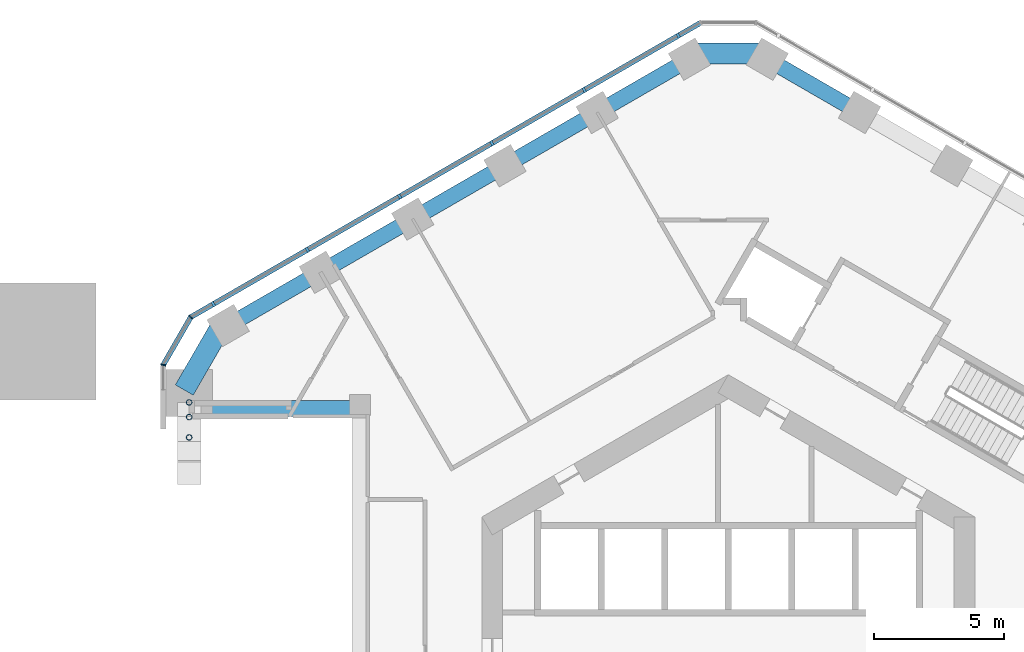
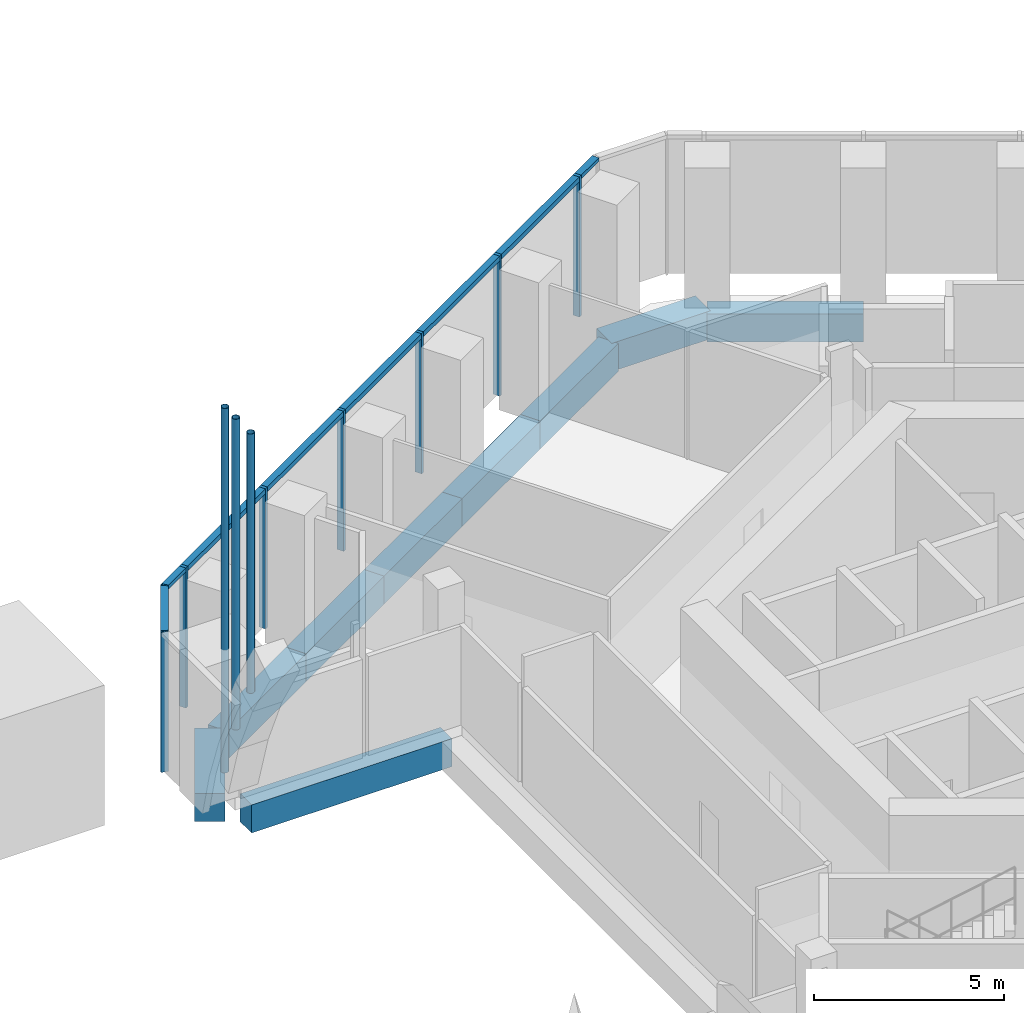
# One storey, part 6 of 14: 15 members, 9 beams, 3 elements without a shape of their own.
"""IFC4 building model written with IfcOpenShell, lengths in metres."""

import ifcopenshell
import ifcopenshell.guid

model = None  # the IFC model being written
_history = None  # IfcOwnerHistory: only IFC2X3 demands one
_inside = {}  # id of a spatial element -> (the spatial element, [elements in it])
_under = {}  # id of a project, library or spatial element -> (it, [spatial elements below it])
_declared = {}  # id of a project -> (the project, [libraries it declares])
_typed = {}  # id of a type object -> (the type object, [elements of that type])
_made_of = {}  # id of a material, layer set ... -> (it, [elements and type objects made of it])


def new_model(schema):
    """Start an empty IFC model of exactly this schema.

    Asked for "IFC4X3", IfcOpenShell would pick the latest addendum, in which some entities
    have other attributes; the version numbers below select the first issue.
    IFC2X3 requires an IfcOwnerHistory on every rooted entity: one is made here for all.
    """
    global model, _history
    if schema == "IFC4X3":
        model = ifcopenshell.file(schema_version=(4, 3, 0, 0))
    else:
        model = ifcopenshell.file(schema=schema)
    _inside.clear()
    _under.clear()
    _declared.clear()
    _typed.clear()
    _made_of.clear()
    _history = None
    if model.schema == "IFC2X3":
        org = make("IfcOrganization", Name="unknown")
        user = make(
            "IfcPersonAndOrganization",
            ThePerson=make("IfcPerson", FamilyName="unknown"),
            TheOrganization=org,
        )
        app = make(
            "IfcApplication",
            ApplicationDeveloper=org,
            Version="unknown",
            ApplicationFullName="unknown",
            ApplicationIdentifier="unknown",
        )
        _history = make(
            "IfcOwnerHistory",
            OwningUser=user,
            OwningApplication=app,
            ChangeAction="ADDED",
            CreationDate=0,
        )
    return model


def make(cls, **values):
    """One entity of the class cls with the attributes given. An attribute that is None is left unset."""
    return model.create_entity(
        cls, **{name: value for name, value in values.items() if value is not None}
    )


def rooted(cls, **values):
    """An entity with a GlobalId (a new one), such as an element, a storey or a relation."""
    return make(cls, GlobalId=ifcopenshell.guid.new(), OwnerHistory=_history, **values)


def si_unit(unit_type, name, prefix=None):
    """IfcSIUnit, for example si_unit("LENGTHUNIT", "METRE", prefix="MILLI")."""
    return make("IfcSIUnit", UnitType=unit_type, Prefix=prefix, Name=name)


def assignment(units):
    """IfcUnitAssignment: the units of a project."""
    return None if units is None else make("IfcUnitAssignment", Units=units)


def point(xyz):
    """IfcCartesianPoint."""
    return None if xyz is None else make("IfcCartesianPoint", Coordinates=xyz)


def direction(xyz):
    """IfcDirection."""
    return None if xyz is None else make("IfcDirection", DirectionRatios=xyz)


def frame(location, z_axis=None, x_axis=None):
    """IfcAxis2Placement3D, a coordinate frame: its origin and axes. An axis left out is left unset."""
    return make(
        "IfcAxis2Placement3D",
        Location=point(location),
        Axis=direction(z_axis),
        RefDirection=direction(x_axis),
    )


def frame_2d(location, x_axis=None):
    """IfcAxis2Placement2D, a coordinate frame in the plane: its origin and x axis."""
    return make(
        "IfcAxis2Placement2D", Location=point(location), RefDirection=direction(x_axis)
    )


def origin():
    """The frame at (0, 0, 0) with its axes left unset."""
    return frame((0.0, 0.0, 0.0))


def origin_2d():
    """The frame at (0, 0) in the plane with its x axis left unset."""
    return frame_2d((0.0, 0.0))


def place(relative_to, where):
    """IfcLocalPlacement: puts the frame where relative to a parent placement (None: the world)."""
    return make(
        "IfcLocalPlacement", PlacementRelTo=relative_to, RelativePlacement=where
    )


def context(
    kind, dimensions, precision=None, world=None, true_north=None, identifier=None
):
    """IfcGeometricRepresentationContext, for example the 3D "Model" context."""
    return make(
        "IfcGeometricRepresentationContext",
        ContextIdentifier=identifier,
        ContextType=kind,
        CoordinateSpaceDimension=dimensions,
        Precision=precision,
        WorldCoordinateSystem=world,
        TrueNorth=true_north,
    )


def subcontext(parent, identifier, kind, view, scale=None):
    """IfcGeometricRepresentationSubContext, for example "Body" below "Model"."""
    return make(
        "IfcGeometricRepresentationSubContext",
        ContextIdentifier=identifier,
        ContextType=kind,
        ParentContext=parent,
        TargetScale=scale,
        TargetView=view,
    )


def project(units=None, contexts=None):
    """IfcProject with its units and contexts."""
    return rooted(
        "IfcProject",
        Name="project",
        RepresentationContexts=contexts,
        UnitsInContext=assignment(units),
    )


def spatial(cls, under=None, at=None, **own):
    """A site, building, storey or space (cls), placed at a placement, below another one or the project."""
    s = rooted(cls, ObjectPlacement=at, **own)
    if under is not None:
        _under.setdefault(under.id(), (under, []))[1].append(s)
    return s


def profile(cls, at=None, kind="AREA", **sizes):
    """A parametric profile (cls). Its sizes go by their IFC names, for example OverallWidth=200.0."""
    return make(cls, ProfileType=kind, Position=at, **sizes)


def rectangle(**sizes):
    """IfcRectangleProfileDef."""
    return profile("IfcRectangleProfileDef", **sizes)


def hollow_circle(**sizes):
    """IfcCircleHollowProfileDef."""
    return profile("IfcCircleHollowProfileDef", **sizes)


def extrude(swept, where, along, depth):
    """IfcExtrudedAreaSolid: the profile swept, set in the frame where, extruded along a direction by depth."""
    return make(
        "IfcExtrudedAreaSolid",
        SweptArea=swept,
        Position=where,
        ExtrudedDirection=direction(along),
        Depth=depth,
    )


def shape(context_of_items, identifier, shape_type, items):
    """IfcShapeRepresentation: the items that make up one representation, for example the "Body"."""
    return make(
        "IfcShapeRepresentation",
        ContextOfItems=context_of_items,
        RepresentationIdentifier=identifier,
        RepresentationType=shape_type,
        Items=items,
    )


def material(Name=None, Category=None):
    """IfcMaterial."""
    return make("IfcMaterial", Name=Name, Category=Category)


def layer(
    of_material, thickness, ventilated=None, Name=None, Category=None, Priority=None
):
    """IfcMaterialLayer: one layer of a wall or slab, of a material (None: an air gap)."""
    return make(
        "IfcMaterialLayer",
        Material=of_material,
        LayerThickness=thickness,
        IsVentilated=ventilated,
        Name=Name,
        Category=Category,
        Priority=Priority,
    )


def layer_set(layers, Name=None):
    """IfcMaterialLayerSet."""
    return make("IfcMaterialLayerSet", MaterialLayers=layers, LayerSetName=Name)


def material_profile(
    of_material, cross_section, Name=None, Category=None, Priority=None
):
    """IfcMaterialProfile: a cross section and its material."""
    return make(
        "IfcMaterialProfile",
        Name=Name,
        Material=of_material,
        Profile=cross_section,
        Priority=Priority,
        Category=Category,
    )


def profile_set(profiles, Name=None, composite=None):
    """IfcMaterialProfileSet."""
    return make(
        "IfcMaterialProfileSet",
        Name=Name,
        MaterialProfiles=profiles,
        CompositeProfile=composite,
    )


def made_of(thing, what):
    """Note that an element or type object is made of a material, layer set ...; save() writes the relation."""
    if what is not None:
        _made_of.setdefault(what.id(), (what, []))[1].append(thing)
    return thing


def type_object(cls, material=None, **own):
    """A type object (cls), such as IfcWallType, which elements share."""
    return made_of(rooted(cls, **own), material)


def element(
    cls,
    number,
    at=None,
    inside=None,
    cuts=None,
    type_object=None,
    material=None,
    context=None,
    identifier="Body",
    shape_type=None,
    held_by="IfcProductDefinitionShape",
    body=None,
    shapes=None,
    **own,
):
    """One element of the class cls, such as IfcWall. Its Tag is "e" and its number.

    at: its placement. inside: the storey or other place that contains it. cuts: it is an
    opening in that element (IfcRelVoidsElement). A single representation is given by context,
    identifier, shape_type and body (its items); several are given by shapes. held_by: the class
    of the entity that holds the representations. save() writes the other relations.
    """
    e = rooted(cls, Tag="e%d" % number, ObjectPlacement=at, **own)
    if body is not None:
        shapes = [shape(context, identifier, shape_type, body)]
    if shapes is not None:
        e.Representation = make(held_by, Representations=shapes)
    if inside is not None:
        _inside.setdefault(inside.id(), (inside, []))[1].append(e)
    if cuts is not None:
        rooted(
            "IfcRelVoidsElement", RelatingBuildingElement=cuts, RelatedOpeningElement=e
        )
    if type_object is not None:
        _typed.setdefault(type_object.id(), (type_object, []))[1].append(e)
    return made_of(e, material)


def aggregate(whole, parts):
    """IfcRelAggregates: a whole, such as a stair, and the parts it consists of."""
    return rooted("IfcRelAggregates", RelatingObject=whole, RelatedObjects=parts)


def save(model, path):
    """Write the relations noted so far, then the file.

    IfcRelAggregates (storeys below a building ...), IfcRelContainedInSpatialStructure (elements
    in a storey), IfcRelDefinesByType, IfcRelAssociatesMaterial and IfcRelDeclares: one each for
    every whole, place, type object, material and project.
    """
    for whole, parts in _under.values():
        aggregate(whole, parts)
    for where, things in _inside.values():
        rooted(
            "IfcRelContainedInSpatialStructure",
            RelatedElements=things,
            RelatingStructure=where,
        )
    for kind, things in _typed.values():
        rooted("IfcRelDefinesByType", RelatedObjects=things, RelatingType=kind)
    for what, things in _made_of.values():
        rooted("IfcRelAssociatesMaterial", RelatedObjects=things, RelatingMaterial=what)
    for by, libraries in _declared.values():
        rooted("IfcRelDeclares", RelatingContext=by, RelatedDefinitions=libraries)
    model.write(path)


model = new_model("IFC4")

# Units and contexts
model_context = context("Model", 3, precision=1e-05, world=origin(), true_north=direction((0.0, 1.0)))
body_context = subcontext(model_context, "Body", "Model", "MODEL_VIEW")
ifc_project = project(units=[si_unit("LENGTHUNIT", "METRE"), si_unit("AREAUNIT", "SQUARE_METRE"), si_unit("VOLUMEUNIT", "CUBIC_METRE"), si_unit("PLANEANGLEUNIT", "RADIAN"), si_unit("MASSUNIT", "GRAM", prefix="KILO")], contexts=[model_context])

# Site, building, storey
site_placement = place(None, origin())
site = spatial("IfcSite", under=ifc_project, at=site_placement, CompositionType="ELEMENT")
building_placement = place(site_placement, origin())
building = spatial("IfcBuilding", under=site, at=building_placement, Name="Ayvan Gate Tower", CompositionType="ELEMENT")
storey_placement = place(building_placement, frame((0.0, 0.0, 7.0)))
storey = spatial("IfcBuildingStorey", under=building, at=storey_placement, Name="L01", CompositionType="ELEMENT", Elevation=7.0)

# Members
ifc_material_1 = material(Name="Steel S460NH", Category="steel")
ifc_material_profile_1 = material_profile(ifc_material_1, hollow_circle(Radius=0.109619140625, WallThickness=0.012451171875, at=origin_2d()), Name="CHS 219.1x12.5")
ifc_profile_set_1 = profile_set([ifc_material_profile_1], Name="Steel S460NH")
member_type_1 = type_object("IfcMemberType", Name="Arch rib hanger CHS 219.1x12.5", PredefinedType="STRUT", material=ifc_profile_set_1)
member_1_placement = place(storey_placement, frame((-20.78466796875, 9.903076171875, 0.549560546875), z_axis=(0.0, 0.0, 1.0), x_axis=(1.0, 0.0, 0.0)))
element("IfcMember", 1, at=member_1_placement, inside=storey, type_object=member_type_1, Name="ARH-3-3", PredefinedType="STRUT", context=body_context, shape_type="SweptSolid", body=[
    extrude(hollow_circle(Radius=0.109619140625, WallThickness=0.012451171875, at=origin_2d()), origin(), (0.0, 0.0, 1.0), 11.700439453125),
])
member_2_placement = place(storey_placement, frame((-20.78466796875, 9.33447265625, 2.276123046875), z_axis=(0.0, 0.0, 1.0), x_axis=(1.0, 0.0, 0.0)))
element("IfcMember", 2, at=member_2_placement, inside=storey, type_object=member_type_1, Name="ARH-3-4", PredefinedType="STRUT", context=body_context, shape_type="SweptSolid", body=[
    extrude(hollow_circle(Radius=0.109619140625, WallThickness=0.012451171875, at=origin_2d()), origin(), (0.0, 0.0, 1.0), 9.973876953125),
])
member_3_placement = place(storey_placement, frame((-20.78466796875, 8.551025390625, 3.927734375), z_axis=(0.0, 0.0, 1.0), x_axis=(1.0, 0.0, 0.0)))
element("IfcMember", 3, at=member_3_placement, inside=storey, type_object=member_type_1, Name="ARH-3-5", PredefinedType="STRUT", context=body_context, shape_type="SweptSolid", body=[
    extrude(hollow_circle(Radius=0.109619140625, WallThickness=0.012451171875, at=origin_2d()), origin(), (0.0, 0.0, 1.0), 8.322265625),
])

# Beams
ifc_material_2 = material(Name="Concrete C40/50", Category="concrete")
ifc_material_profile_2 = material_profile(ifc_material_2, rectangle(XDim=0.800048828125, YDim=0.89990234375, at=origin_2d()), Name="RC 800x900")
ifc_profile_set_2 = profile_set([ifc_material_profile_2], Name="Concrete C40/50")
beam_type_1 = type_object("IfcBeamType", Name="Corner spandrel beam RC 800x900 C40/50", PredefinedType="BEAM", material=ifc_profile_set_2)
for number, where, z_axis, x_axis, name in (
    (4, (1.5, 23.35400390625, -0.85009765625), (-1.0, 0.0, 0.0), (0.0, -1.0, 0.0), "SB-L01-12"),
    (5, (-19.47509765625, 12.97607421875, -0.85009765625), (-0.499990139034, -0.866031096941, 0.0), (0.866031096941, -0.499990139034, 0.0), "SB-L01-18"),
):
    element("IfcBeam", number, at=place(storey_placement, frame(where, z_axis=z_axis, x_axis=x_axis)), inside=storey, type_object=beam_type_1, Name=name, PredefinedType="BEAM", context=body_context, shape_type="SweptSolid", body=[
        extrude(rectangle(XDim=0.800048828125, YDim=0.89990234375, at=origin_2d()), origin(), (0.0, 0.0, 1.0), 3.0),
    ])
ifc_material_profile_3 = material_profile(ifc_material_2, rectangle(XDim=0.60009765625, YDim=0.89990234375, at=origin_2d()), Name="RC 600x900")
ifc_profile_set_3 = profile_set([ifc_material_profile_3], Name="Concrete C40/50")
beam_type_2 = type_object("IfcBeamType", Name="Opening edge beam RC 600x900 C40/50", PredefinedType="BEAM", material=ifc_profile_set_3)
beam_placement = place(storey_placement, frame((-20.28466796875, 9.66796875, -0.85009765625), z_axis=(1.0, 0.0, 0.0), x_axis=(0.0, 1.0, 0.0)))
element("IfcBeam", 6, at=beam_placement, inside=storey, type_object=beam_type_2, Name="OB-L01-3-A", PredefinedType="BEAM", context=body_context, shape_type="SweptSolid", body=[
    extrude(rectangle(XDim=0.60009765625, YDim=0.89990234375, at=origin_2d()), origin(), (0.0, 0.0, 1.0), 6.084716796875),
])
ifc_material_profile_4 = material_profile(ifc_material_2, rectangle(XDim=0.60009765625, YDim=0.89990234375, at=origin_2d()), Name="RC 600x900")
ifc_profile_set_4 = profile_set([ifc_material_profile_4], Name="Concrete C40/50")
beam_type_3 = type_object("IfcBeamType", Name="Spandrel beam RC 600x900 C40/50", PredefinedType="BEAM", material=ifc_profile_set_4)
for number, where, z_axis, x_axis, name in (
    (7, (5.056884765625, 21.080322265625, -0.85009765625), (-0.866010373586, 0.500026032164, 0.0), (-0.500026032164, -0.866010373586, 0.0), "SB-L01-11"),
    (8, (-1.5, 23.134033203125, -0.85009765625), (-0.866010373586, -0.500026032164, 0.0), (0.500026032164, -0.866010373586, 0.0), "SB-L01-13"),
    (9, (-5.056884765625, 21.080322265625, -0.85009765625), (-0.866036113234, -0.499981450231, 0.0), (0.499981450231, -0.866036113234, 0.0), "SB-L01-14"),
    (10, (-8.61376953125, 19.02685546875, -0.85009765625), (-0.866010373586, -0.500026032164, 0.0), (0.500026032164, -0.866010373586, 0.0), "SB-L01-15"),
    (11, (-12.170654296875, 16.97314453125, -0.85009765625), (-0.866050971923, -0.499955712069, 0.0), (0.499955712069, -0.866050971923, 0.0), "SB-L01-16"),
    (12, (-15.727783203125, 14.919677734375, -0.85009765625), (-0.866010373586, -0.500026032164, 0.0), (0.500026032164, -0.866010373586, 0.0), "SB-L01-17"),
):
    element("IfcBeam", number, at=place(storey_placement, frame(where, z_axis=z_axis, x_axis=x_axis)), inside=storey, type_object=beam_type_3, Name=name, PredefinedType="BEAM", context=body_context, shape_type="SweptSolid", body=[
        extrude(rectangle(XDim=0.60009765625, YDim=0.89990234375, at=origin_2d()), origin(), (0.0, 0.0, 1.0), 4.107177734375),
    ])

# Curtain wall, members
ifc_material_3 = material(Name="Bronze anodised aluminium", Category="aluminium")
ifc_layer_1 = layer(ifc_material_3, 0.199951171875)
ifc_layer_set_1 = layer_set([ifc_layer_1], Name="Bronze anodised aluminium")
curtain_wall_type_1 = type_object("IfcCurtainWallType", Name="Stick curtain wall CW-3", PredefinedType="NOTDEFINED", material=ifc_layer_set_1)
curtain_wall_1_placement = place(storey_placement, origin())
curtain_wall_1 = element("IfcCurtainWall", 13, at=curtain_wall_1_placement, inside=storey, type_object=curtain_wall_type_1, Name="Stick curtain wall CW-3 L01", PredefinedType="NOTDEFINED")
ifc_material_profile_5 = material_profile(ifc_material_3, rectangle(XDim=0.199951171875, YDim=0.10009765625, at=origin_2d()), Name="Stick curtain wall CW-3 mullion 200 x 100")
ifc_profile_set_5 = profile_set([ifc_material_profile_5], Name="Bronze anodised aluminium")
member_type_2 = type_object("IfcMemberType", Name="Stick curtain wall CW-3 mullion 200 x 100", PredefinedType="MULLION", material=ifc_profile_set_5)
member_4_placement = place(storey_placement, frame((-1.92919921875, 24.040771484375, 0.0), z_axis=(0.0, 0.0, 1.0), x_axis=(-0.5, 0.866025403784, 0.0)))
member_4 = element("IfcMember", 14, at=member_4_placement, type_object=member_type_2, Name="CW-3 mullion 1", PredefinedType="MULLION", context=body_context, shape_type="SweptSolid", body=[
    extrude(rectangle(XDim=0.199951171875, YDim=0.10009765625, at=origin_2d()), origin(), (0.0, 0.0, 1.0), 4.5),
])
member_5_placement = place(storey_placement, frame((-5.55712890625, 21.9462890625, 0.0), z_axis=(0.0, 0.0, 1.0), x_axis=(-0.5, 0.866025403784, 0.0)))
member_5 = element("IfcMember", 15, at=member_5_placement, type_object=member_type_2, Name="CW-3 mullion 2", PredefinedType="MULLION", context=body_context, shape_type="SweptSolid", body=[
    extrude(rectangle(XDim=0.199951171875, YDim=0.10009765625, at=origin_2d()), origin(), (0.0, 0.0, 1.0), 4.5),
])
member_6_placement = place(storey_placement, frame((-9.11376953125, 19.892822265625, 0.0), z_axis=(0.0, 0.0, 1.0), x_axis=(-0.5, 0.866025403784, 0.0)))
member_6 = element("IfcMember", 16, at=member_6_placement, type_object=member_type_2, Name="CW-3 mullion 3", PredefinedType="MULLION", context=body_context, shape_type="SweptSolid", body=[
    extrude(rectangle(XDim=0.199951171875, YDim=0.10009765625, at=origin_2d()), origin(), (0.0, 0.0, 1.0), 4.5),
])
member_7_placement = place(storey_placement, frame((-12.670654296875, 17.83935546875, 0.0), z_axis=(0.0, 0.0, 1.0), x_axis=(-0.5, 0.866025403784, 0.0)))
member_7 = element("IfcMember", 17, at=member_7_placement, type_object=member_type_2, Name="CW-3 mullion 4", PredefinedType="MULLION", context=body_context, shape_type="SweptSolid", body=[
    extrude(rectangle(XDim=0.199951171875, YDim=0.10009765625, at=origin_2d()), origin(), (0.0, 0.0, 1.0), 4.5),
])
member_8_placement = place(storey_placement, frame((-16.227294921875, 15.785888671875, 0.0), z_axis=(0.0, 0.0, 1.0), x_axis=(-0.5, 0.866025403784, 0.0)))
member_8 = element("IfcMember", 18, at=member_8_placement, type_object=member_type_2, Name="CW-3 mullion 5", PredefinedType="MULLION", context=body_context, shape_type="SweptSolid", body=[
    extrude(rectangle(XDim=0.199951171875, YDim=0.10009765625, at=origin_2d()), origin(), (0.0, 0.0, 1.0), 4.5),
])
member_9_placement = place(storey_placement, frame((-19.855224609375, 13.691162109375, 0.0), z_axis=(0.0, 0.0, 1.0), x_axis=(-0.5, 0.866025403784, 0.0)))
member_9 = element("IfcMember", 19, at=member_9_placement, type_object=member_type_2, Name="CW-3 mullion 6", PredefinedType="MULLION", context=body_context, shape_type="SweptSolid", body=[
    extrude(rectangle(XDim=0.199951171875, YDim=0.10009765625, at=origin_2d()), origin(), (0.0, 0.0, 1.0), 4.5),
])
ifc_material_profile_6 = material_profile(ifc_material_3, rectangle(XDim=0.199951171875, YDim=0.159912109375, at=origin_2d()), Name="Stick curtain wall CW-3 transom 200 x 160")
ifc_profile_set_6 = profile_set([ifc_material_profile_6], Name="Bronze anodised aluminium")
member_type_3 = type_object("IfcMemberType", Name="Stick curtain wall CW-3 transom 200 x 160", PredefinedType="USERDEFINED", material=ifc_profile_set_6)
member_10_placement = place(storey_placement, frame((-1.92919921875, 24.040771484375, 4.419921875), z_axis=(-0.866025115303, -0.500000499665, 0.0), x_axis=(0.500000499665, -0.866025115303, 0.0)))
member_10 = element("IfcMember", 20, at=member_10_placement, type_object=member_type_3, Name="CW-3 transom 1", ObjectType="TRANSOM", PredefinedType="USERDEFINED", context=body_context, shape_type="SweptSolid", body=[
    extrude(rectangle(XDim=0.199951171875, YDim=0.159912109375, at=origin_2d()), origin(), (0.0, 0.0, 1.0), 20.69921875),
])
aggregate(curtain_wall_1, [member_4, member_5, member_6, member_7, member_8, member_9, member_10])

ifc_layer_2 = layer(ifc_material_3, 0.199951171875)
ifc_layer_set_2 = layer_set([ifc_layer_2], Name="Bronze anodised aluminium")
curtain_wall_type_2 = type_object("IfcCurtainWallType", Name="Stick curtain wall CW-6", PredefinedType="NOTDEFINED", material=ifc_layer_set_2)
curtain_wall_2_placement = place(storey_placement, origin())
curtain_wall_2 = element("IfcCurtainWall", 21, at=curtain_wall_2_placement, inside=storey, type_object=curtain_wall_type_2, Name="Stick curtain wall CW-6 L01", PredefinedType="NOTDEFINED")
ifc_material_profile_7 = material_profile(ifc_material_3, rectangle(XDim=0.199951171875, YDim=0.050048828125, at=origin_2d()), Name="Stick curtain wall CW-6 mullion 200 x 50")
ifc_profile_set_7 = profile_set([ifc_material_profile_7], Name="Bronze anodised aluminium")
member_type_4 = type_object("IfcMemberType", Name="Stick curtain wall CW-6 mullion 200 x 50", PredefinedType="MULLION", material=ifc_profile_set_7)
member_11_placement = place(storey_placement, frame((-20.721435546875, 13.191162109375, 0.0), z_axis=(0.0, 0.0, 1.0), x_axis=(-0.707106781187, 0.707106781187, 0.0)))
member_11 = element("IfcMember", 22, at=member_11_placement, type_object=member_type_4, Name="CW-6 mullion 2", PredefinedType="MULLION", context=body_context, shape_type="SweptSolid", body=[
    extrude(rectangle(XDim=0.199951171875, YDim=0.050048828125, at=origin_2d()), origin(), (0.0, 0.0, 1.0), 4.5),
])
member_12_placement = place(storey_placement, frame((-21.78466796875, 11.349609375, 0.0), z_axis=(0.0, 0.0, 1.0), x_axis=(-0.965925826289, 0.258819045103, 0.0)))
member_12 = element("IfcMember", 23, at=member_12_placement, type_object=member_type_4, Name="CW-6 mullion 3", PredefinedType="MULLION", context=body_context, shape_type="SweptSolid", body=[
    extrude(rectangle(XDim=0.199951171875, YDim=0.050048828125, at=origin_2d()), origin(), (0.0, 0.0, 1.0), 4.5),
])
ifc_material_profile_8 = material_profile(ifc_material_3, rectangle(XDim=0.199951171875, YDim=0.1201171875, at=origin_2d()), Name="Stick curtain wall CW-6 transom 200 x 120")
ifc_profile_set_8 = profile_set([ifc_material_profile_8], Name="Bronze anodised aluminium")
member_type_5 = type_object("IfcMemberType", Name="Stick curtain wall CW-6 transom 200 x 120", PredefinedType="USERDEFINED", material=ifc_profile_set_8)
member_13_placement = place(storey_placement, frame((-19.898681640625, 13.666259765625, 4.43994140625), z_axis=(-0.865943820382, -0.500141279983, 0.0), x_axis=(0.500141279983, -0.865943820382, 0.0)))
member_13 = element("IfcMember", 24, at=member_13_placement, type_object=member_type_5, Name="CW-6 transom 1", ObjectType="TRANSOM", PredefinedType="USERDEFINED", context=body_context, shape_type="SweptSolid", body=[
    extrude(rectangle(XDim=0.199951171875, YDim=0.1201171875, at=origin_2d()), origin(), (0.0, 0.0, 1.0), 0.925048828125),
])
member_14_placement = place(storey_placement, frame((-20.73388671875, 13.169677734375, 4.43994140625), z_axis=(-0.500020978615, -0.866013291437, 0.0), x_axis=(0.866013291437, -0.500020978615, 0.0)))
member_14 = element("IfcMember", 25, at=member_14_placement, type_object=member_type_5, Name="CW-6 transom 2", ObjectType="TRANSOM", PredefinedType="USERDEFINED", context=body_context, shape_type="SweptSolid", body=[
    extrude(rectangle(XDim=0.199951171875, YDim=0.1201171875, at=origin_2d()), origin(), (0.0, 0.0, 1.0), 2.07666015625),
])
aggregate(curtain_wall_2, [member_11, member_12, member_13, member_14])

# Curtain wall, member
curtain_wall_3_placement = place(storey_placement, origin())
curtain_wall_3 = element("IfcCurtainWall", 26, at=curtain_wall_3_placement, inside=storey, type_object=curtain_wall_type_2, Name="Stick curtain wall CW-6 L01", PredefinedType="NOTDEFINED")
member_15_placement = place(storey_placement, frame((-1.0849609375, 24.5283203125, 4.43994140625), z_axis=(-0.866058118026, -0.49994333299, 0.0), x_axis=(0.49994333299, -0.866058118026, 0.0)))
member_15 = element("IfcMember", 27, at=member_15_placement, type_object=member_type_5, Name="CW-6 transom 3", ObjectType="TRANSOM", PredefinedType="USERDEFINED", context=body_context, shape_type="SweptSolid", body=[
    extrude(rectangle(XDim=0.199951171875, YDim=0.1201171875, at=origin_2d()), origin(), (0.0, 0.0, 1.0), 0.9248046875),
])
aggregate(curtain_wall_3, [member_15])

save(model, "model.ifc")
